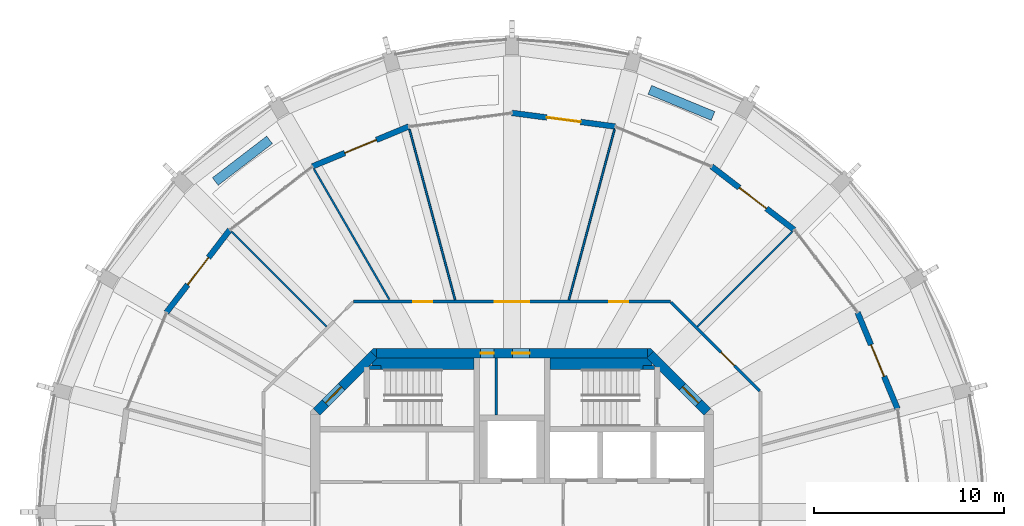
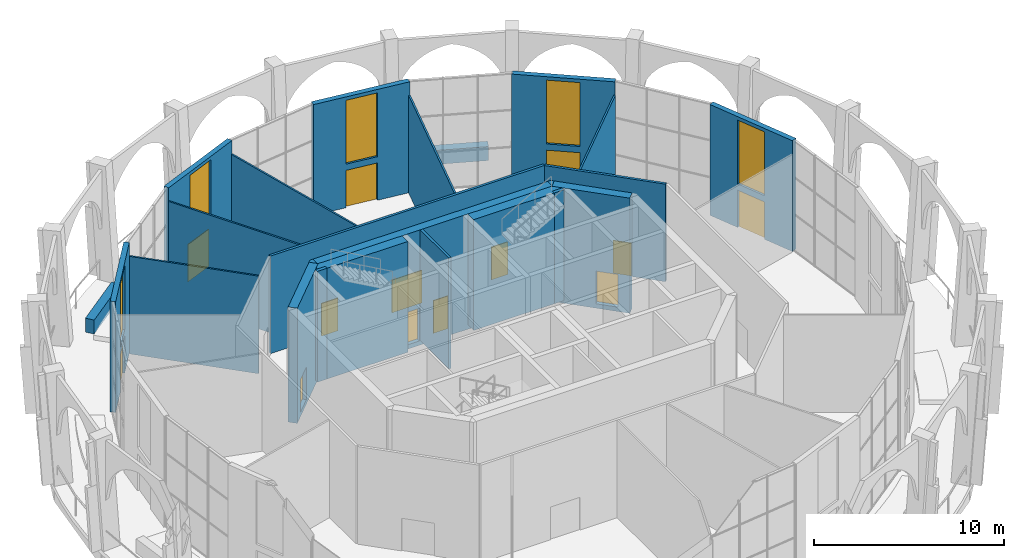
# One storey, part 13 of 17: 24 walls, 13 doors, 5 windows, 18 openings.
"""IFC4 building model written with IfcOpenShell, lengths in metres."""

from ifc_helpers import new_model, si_unit, direction, frame, frame_2d, origin, place, context, subcontext, project, spatial, polyline, rectangle, outline, extrude, material, layer, layer_set, type_object, element, fill, save


model = new_model("IFC4")

# Units and contexts
model_context = context("Model", 3, precision=1e-05, world=origin(), true_north=direction((0.0, 1.0)))
body_context = subcontext(model_context, "Body", "Model", "MODEL_VIEW")
ifc_project = project(units=[si_unit("LENGTHUNIT", "METRE"), si_unit("AREAUNIT", "SQUARE_METRE"), si_unit("VOLUMEUNIT", "CUBIC_METRE"), si_unit("PLANEANGLEUNIT", "RADIAN"), si_unit("MASSUNIT", "GRAM", prefix="KILO")], contexts=[model_context])

# Site, building, storey
site_placement = place(None, origin())
site = spatial("IfcSite", under=ifc_project, at=site_placement, CompositionType="ELEMENT")
building_placement = place(site_placement, origin())
building = spatial("IfcBuilding", under=site, at=building_placement, Name="Torre Triforio", CompositionType="ELEMENT")
storey_placement = place(building_placement, frame((0.0, 0.0, 276.0)))
storey = spatial("IfcBuildingStorey", under=building, at=storey_placement, Name="L64", CompositionType="ELEMENT", Elevation=276.0)

# Wall, openings, doors
ifc_material_1 = material(Name="Concrete C40", Category="concrete")
ifc_layer_1 = layer(ifc_material_1, 0.5)
ifc_layer_set_1 = layer_set([ifc_layer_1], Name="Concrete C40")
wall_type_1 = type_object("IfcWallType", Name="Core wall 500 mm C40 EI 120", PredefinedType="SHEAR", material=ifc_layer_set_1)
wall_1_placement = place(storey_placement, frame((-7.1298828125, 8.35009765625, -0.280029296875), z_axis=(0.0, 0.0, 1.0), x_axis=(1.0, 0.0, 0.0)))
wall_1 = element("IfcWall", 1, at=wall_1_placement, inside=storey, type_object=wall_type_1, Name="Core wall", PredefinedType="SHEAR", context=body_context, shape_type="SweptSolid", body=[
    extrude(rectangle(XDim=14.259765625, YDim=0.5, at=frame_2d((7.1298828125, 0.0))), origin(), (0.0, 0.0, 1.0), 7.400146484375),
])
opening_1_placement = place(wall_1_placement, frame((5.47998046875, 0.0, 0.280029296875)))
opening_1 = element("IfcOpeningElement", 2, at=opening_1_placement, cuts=wall_1, Name="Opening RISER-N", PredefinedType="OPENING", context=body_context, shape_type="SweptSolid", body=[
    extrude(rectangle(XDim=0.699951171875, YDim=2.10009765625, at=frame_2d((0.35009765625, 1.050048828125))), frame((0.0, 0.260009765625, 0.0), z_axis=(0.0, -1.0, 0.0), x_axis=(1.0, 0.0, 0.0)), (0.0, 0.0, 1.0), 0.52001953125),
])
opening_2_placement = place(wall_1_placement, frame((7.155029296875, 0.0, 0.280029296875)))
opening_2 = element("IfcOpeningElement", 3, at=opening_2_placement, cuts=wall_1, Name="Opening NE-01", PredefinedType="OPENING", context=body_context, shape_type="SweptSolid", body=[
    extrude(rectangle(XDim=0.89990234375, YDim=2.10009765625, at=frame_2d((0.449951171875, 1.050048828125))), frame((0.0, 0.260009765625, 0.0), z_axis=(0.0, -1.0, 0.0), x_axis=(1.0, 0.0, 0.0)), (0.0, 0.0, 1.0), 0.52001953125),
])
ifc_material_2 = material(Name="Hollow metal fire door leaf")
door_type_1 = type_object("IfcDoorType", Name="Riser door 700 x 2100 EI 60", OperationType="NOTDEFINED", PredefinedType="DOOR", material=ifc_material_2)
door_1_placement = place(opening_1_placement, origin())
door_1 = element("IfcDoor", 4, at=door_1_placement, inside=storey, type_object=door_type_1, Name="Core door RISER-N", OperationType="SINGLE_SWING_LEFT", OverallHeight=2.10009765625, OverallWidth=0.699951171875, PredefinedType="DOOR", context=body_context, shape_type="SweptSolid", body=[
    extrude(rectangle(XDim=0.699951171875, YDim=2.10009765625, at=frame_2d((0.35009765625, 1.050048828125))), frame((0.0, 0.02490234375, 0.0), z_axis=(0.0, -1.0, 0.0), x_axis=(1.0, 0.0, 0.0)), (0.0, 0.0, 1.0), 0.050048828125),
])
fill(opening_1, door_1)
door_type_2 = type_object("IfcDoorType", Name="Room door 900 x 2100 EI 60", OperationType="NOTDEFINED", PredefinedType="DOOR", material=ifc_material_2)
door_2_placement = place(opening_2_placement, origin())
door_2 = element("IfcDoor", 5, at=door_2_placement, inside=storey, type_object=door_type_2, Name="Core door NE-01", OperationType="SINGLE_SWING_RIGHT", OverallHeight=2.10009765625, OverallWidth=0.89990234375, PredefinedType="DOOR", context=body_context, shape_type="SweptSolid", body=[
    extrude(rectangle(XDim=0.89990234375, YDim=2.10009765625, at=frame_2d((0.449951171875, 1.050048828125))), frame((0.0, 0.02490234375, 0.0), z_axis=(0.0, -1.0, 0.0), x_axis=(1.0, 0.0, 0.0)), (0.0, 0.0, 1.0), 0.050048828125),
])
fill(opening_2, door_2)

# Wall, opening, door
wall_2_placement = place(storey_placement, frame((-10.27685546875, 5.27685546875, -0.280029296875), z_axis=(0.0, 0.0, 1.0), x_axis=(0.707106781187, 0.707106781187, 0.0)))
wall_2 = element("IfcWall", 6, at=wall_2_placement, inside=storey, type_object=wall_type_1, Name="Core wall", PredefinedType="SHEAR", context=body_context, shape_type="SweptSolid", body=[
    extrude(rectangle(XDim=4.24267578125, YDim=0.5, at=frame_2d((2.121337890625, 0.0))), origin(), (0.0, 0.0, 1.0), 7.400146484375),
])
opening_3_placement = place(wall_2_placement, frame((0.64990234375, 0.0, 0.280029296875)))
opening_3 = element("IfcOpeningElement", 7, at=opening_3_placement, cuts=wall_2, Name="Opening ST1-EXIT", PredefinedType="OPENING", context=body_context, shape_type="SweptSolid", body=[
    extrude(rectangle(XDim=1.199951171875, YDim=2.10009765625, at=frame_2d((0.60009765625, 1.050048828125))), frame((0.0, 0.260009765625, 0.0), z_axis=(0.0, -1.0, 0.0), x_axis=(1.0, 0.0, 0.0)), (0.0, 0.0, 1.0), 0.52001953125),
])
door_type_3 = type_object("IfcDoorType", Name="Stair lobby door 1200 x 2100 EI 60", OperationType="NOTDEFINED", PredefinedType="DOOR", material=ifc_material_2)
door_3_placement = place(opening_3_placement, origin())
door_3 = element("IfcDoor", 8, at=door_3_placement, inside=storey, type_object=door_type_3, Name="Core door ST1-EXIT", OperationType="SINGLE_SWING_RIGHT", OverallHeight=2.10009765625, OverallWidth=1.199951171875, PredefinedType="DOOR", context=body_context, shape_type="SweptSolid", body=[
    extrude(rectangle(XDim=1.199951171875, YDim=2.10009765625, at=frame_2d((0.60009765625, 1.050048828125))), frame((0.0, 0.02490234375, 0.0), z_axis=(0.0, -1.0, 0.0), x_axis=(1.0, 0.0, 0.0)), (0.0, 0.0, 1.0), 0.050048828125),
])
fill(opening_3, door_3)

wall_3_placement = place(storey_placement, frame((7.27685546875, 8.27685546875, -0.280029296875), z_axis=(0.0, 0.0, 1.0), x_axis=(0.707106781187, -0.707106781187, 0.0)))
wall_3 = element("IfcWall", 9, at=wall_3_placement, inside=storey, type_object=wall_type_1, Name="Core wall", PredefinedType="SHEAR", context=body_context, shape_type="SweptSolid", body=[
    extrude(rectangle(XDim=4.24267578125, YDim=0.5, at=frame_2d((2.121337890625, 0.0))), origin(), (0.0, 0.0, 1.0), 7.400146484375),
])
opening_4_placement = place(wall_3_placement, frame((2.392578125, 0.0, 0.280029296875)))
opening_4 = element("IfcOpeningElement", 10, at=opening_4_placement, cuts=wall_3, Name="Opening ST2-EXIT", PredefinedType="OPENING", context=body_context, shape_type="SweptSolid", body=[
    extrude(rectangle(XDim=1.199951171875, YDim=2.10009765625, at=frame_2d((0.60009765625, 1.050048828125))), frame((0.0, 0.260009765625, 0.0), z_axis=(0.0, -1.0, 0.0), x_axis=(1.0, 0.0, 0.0)), (0.0, 0.0, 1.0), 0.52001953125),
])
door_4_placement = place(opening_4_placement, origin())
door_4 = element("IfcDoor", 11, at=door_4_placement, inside=storey, type_object=door_type_3, Name="Core door ST2-EXIT", OperationType="SINGLE_SWING_RIGHT", OverallHeight=2.10009765625, OverallWidth=1.199951171875, PredefinedType="DOOR", context=body_context, shape_type="SweptSolid", body=[
    extrude(rectangle(XDim=1.199951171875, YDim=2.10009765625, at=frame_2d((0.60009765625, 1.050048828125))), frame((0.0, 0.02490234375, 0.0), z_axis=(0.0, -1.0, 0.0), x_axis=(1.0, 0.0, 0.0)), (0.0, 0.0, 1.0), 0.050048828125),
])
fill(opening_4, door_4)

# Walls
wall_4_placement = place(storey_placement, frame((0.0, 0.0, -0.280029296875)))
element("IfcWall", 12, at=wall_4_placement, inside=storey, type_object=wall_type_1, Name="Core wall", PredefinedType="SHEAR", context=body_context, shape_type="SweptSolid", body=[
    extrude(outline(polyline([(-7.30712890625, 8.60009765625), (-7.1298828125, 8.60009765625), (-7.1298828125, 8.1298828125), (-7.45361328125, 8.45361328125), (-7.30712890625, 8.60009765625)])), origin(), (0.0, 0.0, 1.0), 7.400146484375),
])
wall_5_placement = place(storey_placement, frame((0.0, 0.0, -0.280029296875)))
element("IfcWall", 13, at=wall_5_placement, inside=storey, type_object=wall_type_1, Name="Core wall", PredefinedType="SHEAR", context=body_context, shape_type="SweptSolid", body=[
    extrude(outline(polyline([(7.30712890625, 8.60009765625), (7.45361328125, 8.45361328125), (7.1298828125, 8.1298828125), (7.1298828125, 8.60009765625), (7.30712890625, 8.60009765625)])), origin(), (0.0, 0.0, 1.0), 7.400146484375),
])

# Wall, openings, doors
ifc_material_3 = material(Name="Plasterboard on metal studs")
ifc_layer_2 = layer(ifc_material_3, 0.14990234375)
ifc_layer_set_2 = layer_set([ifc_layer_2], Name="Plasterboard on metal studs")
wall_type_2 = type_object("IfcWallType", Name="Corridor and tenancy wall 150 mm EI 60", PredefinedType="PARTITIONING", material=ifc_layer_set_2)
wall_6_placement = place(storey_placement, frame((-8.332275390625, 11.074951171875, 0.0), z_axis=(0.0, 0.0, 1.0), x_axis=(1.0, 0.0, 0.0)))
wall_6 = element("IfcWall", 14, at=wall_6_placement, inside=storey, type_object=wall_type_2, Name="Partition 6", PredefinedType="PARTITIONING", context=body_context, shape_type="SweptSolid", body=[
    extrude(rectangle(XDim=16.66455078125, YDim=0.14990234375, at=frame_2d((8.332275390625, 0.0))), origin(), (0.0, 0.0, 1.0), 6.27001953125),
])
opening_5_placement = place(wall_6_placement, frame((13.457275390625, 0.0, 0.0)))
opening_5 = element("IfcOpeningElement", 15, at=opening_5_placement, cuts=wall_6, Name="Opening G4-08", PredefinedType="OPENING", context=body_context, shape_type="SweptSolid", body=[
    extrude(rectangle(XDim=1.0, YDim=2.10009765625, at=frame_2d((0.5, 1.050048828125))), frame((0.0, 0.0849609375, 0.0), z_axis=(0.0, -1.0, 0.0), x_axis=(1.0, 0.0, 0.0)), (0.0, 0.0, 1.0), 0.169921875),
])
opening_6_placement = place(wall_6_placement, frame((7.432373046875, 0.0, 0.0)))
opening_6 = element("IfcOpeningElement", 16, at=opening_6_placement, cuts=wall_6, Name="Opening G4-09", PredefinedType="OPENING", context=body_context, shape_type="SweptSolid", body=[
    extrude(rectangle(XDim=1.800048828125, YDim=2.10009765625, at=frame_2d((0.89990234375, 1.050048828125))), frame((0.0, 0.0849609375, 0.0), z_axis=(0.0, -1.0, 0.0), x_axis=(1.0, 0.0, 0.0)), (0.0, 0.0, 1.0), 0.169921875),
])
opening_7_placement = place(wall_6_placement, frame((3.1474609375, 0.0, 0.0)))
opening_7 = element("IfcOpeningElement", 17, at=opening_7_placement, cuts=wall_6, Name="Opening G4-10", PredefinedType="OPENING", context=body_context, shape_type="SweptSolid", body=[
    extrude(rectangle(XDim=1.0, YDim=2.10009765625, at=frame_2d((0.5, 1.050048828125))), frame((0.0, 0.0849609375, 0.0), z_axis=(0.0, -1.0, 0.0), x_axis=(1.0, 0.0, 0.0)), (0.0, 0.0, 1.0), 0.169921875),
])
ifc_material_4 = material(Name="Timber", Category="wood")
door_type_4 = type_object("IfcDoorType", Name="Door 1000 x 2100 single leaf EI 30", OperationType="NOTDEFINED", PredefinedType="DOOR", material=ifc_material_4)
door_5_placement = place(opening_5_placement, origin())
door_5 = element("IfcDoor", 18, at=door_5_placement, inside=storey, type_object=door_type_4, Name="Door G4-08", OperationType="SINGLE_SWING_LEFT", OverallHeight=2.10009765625, OverallWidth=1.0, PredefinedType="DOOR", context=body_context, shape_type="SweptSolid", body=[
    extrude(rectangle(XDim=1.0, YDim=2.10009765625, at=frame_2d((0.5, 1.050048828125))), frame((0.0, 0.02490234375, 0.0), z_axis=(0.0, -1.0, 0.0), x_axis=(1.0, 0.0, 0.0)), (0.0, 0.0, 1.0), 0.050048828125),
])
fill(opening_5, door_5)
door_6_placement = place(opening_7_placement, origin())
door_6 = element("IfcDoor", 19, at=door_6_placement, inside=storey, type_object=door_type_4, Name="Door G4-10", OperationType="SINGLE_SWING_LEFT", OverallHeight=2.10009765625, OverallWidth=1.0, PredefinedType="DOOR", context=body_context, shape_type="SweptSolid", body=[
    extrude(rectangle(XDim=1.0, YDim=2.10009765625, at=frame_2d((0.5, 1.050048828125))), frame((0.0, 0.02490234375, 0.0), z_axis=(0.0, -1.0, 0.0), x_axis=(1.0, 0.0, 0.0)), (0.0, 0.0, 1.0), 0.050048828125),
])
fill(opening_7, door_6)
door_type_5 = type_object("IfcDoorType", Name="Door 1800 x 2100 double leaf EI 30", OperationType="DOUBLE_DOOR_SINGLE_SWING", PredefinedType="DOOR", material=ifc_material_4)
door_7_placement = place(opening_6_placement, origin())
door_7 = element("IfcDoor", 20, at=door_7_placement, inside=storey, type_object=door_type_5, Name="Door G4-09", OperationType="DOUBLE_DOOR_SINGLE_SWING", OverallHeight=2.10009765625, OverallWidth=1.800048828125, PredefinedType="DOOR", context=body_context, shape_type="SweptSolid", body=[
    extrude(rectangle(XDim=1.800048828125, YDim=2.10009765625, at=frame_2d((0.89990234375, 1.050048828125))), frame((0.0, 0.02490234375, 0.0), z_axis=(0.0, -1.0, 0.0), x_axis=(1.0, 0.0, 0.0)), (0.0, 0.0, 1.0), 0.050048828125),
])
fill(opening_6, door_7)

# Wall, opening, door
wall_7_placement = place(storey_placement, frame((8.369384765625, 11.037841796875, 0.0), z_axis=(0.0, 0.0, 1.0), x_axis=(0.707106781187, -0.707106781187, 0.0)))
wall_7 = element("IfcWall", 21, at=wall_7_placement, inside=storey, type_object=wall_type_2, Name="Partition 7", PredefinedType="PARTITIONING", context=body_context, shape_type="SweptSolid", body=[
    extrude(rectangle(XDim=6.602294921875, YDim=0.14990234375, at=frame_2d((3.30126953125, 0.0))), origin(), (0.0, 0.0, 1.0), 6.27001953125),
])
opening_8_placement = place(wall_7_placement, frame((3.719482421875, 0.0, 0.0)))
opening_8 = element("IfcOpeningElement", 22, at=opening_8_placement, cuts=wall_7, Name="Opening G4-07", PredefinedType="OPENING", context=body_context, shape_type="SweptSolid", body=[
    extrude(rectangle(XDim=1.0, YDim=2.10009765625, at=frame_2d((0.5, 1.050048828125))), frame((0.0, 0.0849609375, 0.0), z_axis=(0.0, -1.0, 0.0), x_axis=(1.0, 0.0, 0.0)), (0.0, 0.0, 1.0), 0.169921875),
])
door_8_placement = place(opening_8_placement, origin())
door_8 = element("IfcDoor", 23, at=door_8_placement, inside=storey, type_object=door_type_4, Name="Door G4-07", OperationType="SINGLE_SWING_LEFT", OverallHeight=2.10009765625, OverallWidth=1.0, PredefinedType="DOOR", context=body_context, shape_type="SweptSolid", body=[
    extrude(rectangle(XDim=1.0, YDim=2.10009765625, at=frame_2d((0.5, 1.050048828125))), frame((0.0, 0.02490234375, 0.0), z_axis=(0.0, -1.0, 0.0), x_axis=(1.0, 0.0, 0.0)), (0.0, 0.0, 1.0), 0.050048828125),
])
fill(opening_8, door_8)

# Walls
ifc_layer_3 = layer(ifc_material_3, 0.10009765625)
ifc_layer_set_3 = layer_set([ifc_layer_3], Name="Plasterboard on metal studs")
wall_type_3 = type_object("IfcWallType", Name="Partition 100 mm board on metal studs", PredefinedType="PARTITIONING", material=ifc_layer_set_3)
wall_8_placement = place(storey_placement, frame((9.756591796875, 9.756591796875, 0.0), z_axis=(0.0, 0.0, 1.0), x_axis=(0.707106781187, 0.707106781187, 0.0)))
element("IfcWall", 24, at=wall_8_placement, inside=storey, type_object=wall_type_3, Name="Partition 10", PredefinedType="PARTITIONING", context=body_context, shape_type="SweptSolid", body=[
    extrude(rectangle(XDim=7.0390625, YDim=0.10009765625, at=frame_2d((3.51953125, 0.0))), origin(), (0.0, 0.0, 1.0), 6.27001953125),
])
for number, where, z_axis, x_axis, name in (
    (25, (2.991455078125, 11.164306640625, 0.0), (0.0, 0.0, 1.0), (0.258808860497, 0.965928555188, 0.0), "Partition 11"),
    (26, (-2.991455078125, 11.164306640625, 0.0), (0.0, 0.0, 1.0), (-0.258808860497, 0.965928555188, 0.0), "Partition 12"),
):
    element("IfcWall", number, at=place(storey_placement, frame(where, z_axis=z_axis, x_axis=x_axis)), inside=storey, type_object=wall_type_3, Name=name, PredefinedType="PARTITIONING", context=body_context, shape_type="SweptSolid", body=[
        extrude(rectangle(XDim=9.278564453125, YDim=0.10009765625, at=frame_2d((4.63916015625, 0.0))), origin(), (0.0, 0.0, 1.0), 6.27001953125),
    ])
wall_9_placement = place(storey_placement, frame((-6.45166015625, 11.174560546875, 0.0), z_axis=(0.0, 0.0, 1.0), x_axis=(-0.50000481735, 0.866022622468, 0.0)))
element("IfcWall", 27, at=wall_9_placement, inside=storey, type_object=wall_type_3, Name="Partition 13", PredefinedType="PARTITIONING", context=body_context, shape_type="SweptSolid", body=[
    extrude(rectangle(XDim=7.93359375, YDim=0.10009765625, at=frame_2d((3.966796875, 0.0))), origin(), (0.0, 0.0, 1.0), 6.27001953125),
])
wall_10_placement = place(storey_placement, frame((-9.756591796875, 9.756591796875, 0.0), z_axis=(0.0, 0.0, 1.0), x_axis=(-0.707106781187, 0.707106781187, 0.0)))
element("IfcWall", 28, at=wall_10_placement, inside=storey, type_object=wall_type_3, Name="Partition 14", PredefinedType="PARTITIONING", context=body_context, shape_type="SweptSolid", body=[
    extrude(rectangle(XDim=7.0390625, YDim=0.10009765625, at=frame_2d((3.51953125, 0.0))), origin(), (0.0, 0.0, 1.0), 6.27001953125),
])
ifc_material_5 = material(Name="Block and board partition")
ifc_layer_4 = layer(ifc_material_5, 0.14990234375)
ifc_layer_set_4 = layer_set([ifc_layer_4], Name="Block and board partition")
wall_type_4 = type_object("IfcWallType", Name="Partition 150 mm EI 120", PredefinedType="PARTITIONING", material=ifc_layer_set_4)
wall_11_placement = place(storey_placement, frame((-0.824951171875, 5.10009765625, 0.0), z_axis=(0.0, 0.0, 1.0), x_axis=(0.0, 1.0, 0.0)))
element("IfcWall", 29, at=wall_11_placement, inside=storey, type_object=wall_type_4, Name="Partition", PredefinedType="PARTITIONING", context=body_context, shape_type="SweptSolid", body=[
    extrude(rectangle(XDim=3.0, YDim=0.14990234375, at=frame_2d((1.5, 0.0))), origin(), (0.0, 0.0, 1.0), 7.1201171875),
])
ifc_material_6 = material(Name="Limestone cladding", Category="masonry")
ifc_layer_5 = layer(ifc_material_6, 0.10009765625)
ifc_layer_6 = layer(ifc_material_1, 0.39990234375)
ifc_layer_set_5 = layer_set([ifc_layer_5, ifc_layer_6], Name="Limestone cladding / Concrete C40")
wall_type_5 = type_object("IfcWallType", Name="Planter wall 500", PredefinedType="PARAPET", material=ifc_layer_set_5)
for number, where, z_axis, x_axis, name in (
    (30, (10.57958984375, 20.837646484375, 0.0), (0.0, 0.0, 1.0), (-0.923909393783, 0.382611332921, 0.0), "Planter L64 bay 05"),
    (31, (-12.756103515625, 19.580810546875, 0.0), (0.0, 0.0, 1.0), (-0.793384730612, -0.608720518162, 0.0), "Planter L64 bay 09"),
):
    element("IfcWall", number, at=place(storey_placement, frame(where, z_axis=z_axis, x_axis=x_axis)), inside=storey, type_object=wall_type_5, Name=name, PredefinedType="PARAPET", context=body_context, shape_type="SweptSolid", body=[
        extrude(rectangle(XDim=3.60009765625, YDim=0.5, at=frame_2d((1.800048828125, 0.0))), origin(), (0.0, 0.0, 1.0), 0.89990234375),
    ])
ifc_layer_7 = layer(ifc_material_1, 0.199951171875)
ifc_layer_set_6 = layer_set([ifc_layer_7], Name="Concrete C40")
wall_type_6 = type_object("IfcWallType", Name="Stair wall 200 mm C40 EI 120", PredefinedType="SHEAR", material=ifc_layer_set_6)
for number, where, z_axis, x_axis, name in (
    (32, (-7.5, 7.60009765625, 0.0), (0.0, 0.0, 1.0), (1.0, 0.0, 0.0), "Stair wall"),
    (33, (6.89990234375, 7.60009765625, 0.0), (0.0, 0.0, 1.0), (1.0, 0.0, 0.0), "Stair wall"),
):
    element("IfcWall", number, at=place(storey_placement, frame(where, z_axis=z_axis, x_axis=x_axis)), inside=storey, type_object=wall_type_6, Name=name, PredefinedType="SHEAR", context=body_context, shape_type="SweptSolid", body=[
        extrude(rectangle(XDim=0.60009765625, YDim=0.199951171875, at=frame_2d((0.300048828125, 0.0))), origin(), (0.0, 0.0, 1.0), 7.1201171875),
    ])
ifc_layer_8 = layer(ifc_material_1, 0.60009765625)
ifc_layer_set_7 = layer_set([ifc_layer_8], Name="Concrete C40")
wall_type_7 = type_object("IfcWallType", Name="Stair wall 600 mm C40 EI 120", PredefinedType="SHEAR", material=ifc_layer_set_7)
for number, where, z_axis, x_axis, name in (
    (34, (-7.3701171875, 7.800048828125, 0.0), (0.0, 0.0, 1.0), (1.0, 0.0, 0.0), "Stair wall"),
    (35, (2.0, 7.800048828125, 0.0), (0.0, 0.0, 1.0), (1.0, 0.0, 0.0), "Stair wall"),
):
    element("IfcWall", number, at=place(storey_placement, frame(where, z_axis=z_axis, x_axis=x_axis)), inside=storey, type_object=wall_type_7, Name=name, PredefinedType="SHEAR", context=body_context, shape_type="SweptSolid", body=[
        extrude(rectangle(XDim=5.3701171875, YDim=0.60009765625, at=frame_2d((2.68505859375, 0.0))), origin(), (0.0, 0.0, 1.0), 7.1201171875),
    ])

# Wall, openings, window, door
ifc_layer_9 = layer(ifc_material_6, 0.10009765625)
ifc_layer_10 = layer(ifc_material_1, 0.199951171875)
ifc_layer_set_8 = layer_set([ifc_layer_9, ifc_layer_10], Name="Limestone cladding / Concrete C40")
wall_type_8 = type_object("IfcWallType", Name="Stone-faced composite wall 300", PredefinedType="STANDARD", material=ifc_layer_set_8)
wall_12_placement = place(storey_placement, frame((20.284423828125, 5.435302734375, 0.0), z_axis=(0.0, 0.0, 1.0), x_axis=(-0.382688740813, 0.923877333662, 0.0)))
wall_12 = element("IfcWall", 36, at=wall_12_placement, inside=storey, type_object=wall_type_8, Name="External wall L64 bay 02", PredefinedType="STANDARD", context=body_context, shape_type="SweptSolid", body=[
    extrude(rectangle(XDim=5.48193359375, YDim=0.300048828125, at=frame_2d((2.740966796875, 0.0))), origin(), (0.0, 0.0, 1.0), 7.1201171875),
])
opening_9_placement = place(wall_12_placement, frame((1.841064453125, 0.0, 0.0)))
opening_9 = element("IfcOpeningElement", 37, at=opening_9_placement, cuts=wall_12, Name="Opening G4-D02", PredefinedType="OPENING", context=body_context, shape_type="SweptSolid", body=[
    extrude(rectangle(XDim=1.800048828125, YDim=2.39990234375, at=frame_2d((0.89990234375, 1.199951171875))), frame((0.0, 0.159912109375, 0.0), z_axis=(0.0, -1.0, 0.0), x_axis=(1.0, 0.0, 0.0)), (0.0, 0.0, 1.0), 0.320068359375),
])
opening_10_placement = place(wall_12_placement, frame((1.841064453125, 0.0, 2.800048828125)))
opening_10 = element("IfcOpeningElement", 38, at=opening_10_placement, cuts=wall_12, Name="Opening G4-W02", PredefinedType="OPENING", context=body_context, shape_type="SweptSolid", body=[
    extrude(rectangle(XDim=1.800048828125, YDim=4.10009765625, at=frame_2d((0.89990234375, 2.050048828125))), frame((0.0, 0.159912109375, 0.0), z_axis=(0.0, -1.0, 0.0), x_axis=(1.0, 0.0, 0.0)), (0.0, 0.0, 1.0), 0.320068359375),
])
ifc_material_7 = material(Name="Aluminium frame with clear double glazing", Category="aluminium")
window_type = type_object("IfcWindowType", Name="Garden clerestory window 1800 x 4100", PartitioningType="DOUBLE_PANEL_VERTICAL", PredefinedType="WINDOW", material=ifc_material_7)
window_1_placement = place(opening_10_placement, origin())
window_1 = element("IfcWindow", 39, at=window_1_placement, inside=storey, type_object=window_type, Name="Clerestory EWN22 L64 bay 02", OverallHeight=4.10009765625, OverallWidth=1.800048828125, PartitioningType="SINGLE_PANEL", PredefinedType="WINDOW", context=body_context, shape_type="SweptSolid", body=[
    extrude(rectangle(XDim=1.800048828125, YDim=4.10009765625, at=frame_2d((0.89990234375, 2.050048828125))), frame((0.0, 0.030029296875, 0.0), z_axis=(0.0, -1.0, 0.0), x_axis=(1.0, 0.0, 0.0)), (0.0, 0.0, 1.0), 0.06005859375),
])
fill(opening_10, window_1)
door_type_6 = type_object("IfcDoorType", Name="Terrace double door 1800 x 2400", OperationType="DOUBLE_DOOR_SINGLE_SWING", PredefinedType="DOOR", material=ifc_material_7)
door_9_placement = place(opening_9_placement, origin())
door_9 = element("IfcDoor", 40, at=door_9_placement, inside=storey, type_object=door_type_6, Name="Terrace door L64 bay 02", OperationType="SINGLE_SWING_LEFT", OverallHeight=2.39990234375, OverallWidth=1.800048828125, PredefinedType="DOOR", context=body_context, shape_type="SweptSolid", body=[
    extrude(rectangle(XDim=1.800048828125, YDim=2.39990234375, at=frame_2d((0.89990234375, 1.199951171875))), frame((0.0, 0.02490234375, 0.0), z_axis=(0.0, -1.0, 0.0), x_axis=(1.0, 0.0, 0.0)), (0.0, 0.0, 1.0), 0.050048828125),
])
fill(opening_9, door_9)

wall_13_placement = place(storey_placement, frame((14.84912109375, 14.84912109375, 0.0), z_axis=(0.0, 0.0, 1.0), x_axis=(-0.793335336593, 0.608784891166, 0.0)))
wall_13 = element("IfcWall", 41, at=wall_13_placement, inside=storey, type_object=wall_type_8, Name="External wall L64 bay 04", PredefinedType="STANDARD", context=body_context, shape_type="SweptSolid", body=[
    extrude(rectangle(XDim=5.482177734375, YDim=0.300048828125, at=frame_2d((2.7412109375, 0.0))), origin(), (0.0, 0.0, 1.0), 7.1201171875),
])
opening_11_placement = place(wall_13_placement, frame((1.841064453125, 0.0, 0.0)))
opening_11 = element("IfcOpeningElement", 42, at=opening_11_placement, cuts=wall_13, Name="Opening G4-D04", PredefinedType="OPENING", context=body_context, shape_type="SweptSolid", body=[
    extrude(rectangle(XDim=1.800048828125, YDim=2.39990234375, at=frame_2d((0.89990234375, 1.199951171875))), frame((0.0, 0.159912109375, 0.0), z_axis=(0.0, -1.0, 0.0), x_axis=(1.0, 0.0, 0.0)), (0.0, 0.0, 1.0), 0.320068359375),
])
opening_12_placement = place(wall_13_placement, frame((1.841064453125, 0.0, 2.800048828125)))
opening_12 = element("IfcOpeningElement", 43, at=opening_12_placement, cuts=wall_13, Name="Opening G4-W04", PredefinedType="OPENING", context=body_context, shape_type="SweptSolid", body=[
    extrude(rectangle(XDim=1.800048828125, YDim=4.10009765625, at=frame_2d((0.89990234375, 2.050048828125))), frame((0.0, 0.159912109375, 0.0), z_axis=(0.0, -1.0, 0.0), x_axis=(1.0, 0.0, 0.0)), (0.0, 0.0, 1.0), 0.320068359375),
])
window_2_placement = place(opening_12_placement, origin())
window_2 = element("IfcWindow", 44, at=window_2_placement, inside=storey, type_object=window_type, Name="Clerestory EWN22 L64 bay 04", OverallHeight=4.10009765625, OverallWidth=1.800048828125, PartitioningType="SINGLE_PANEL", PredefinedType="WINDOW", context=body_context, shape_type="SweptSolid", body=[
    extrude(rectangle(XDim=1.800048828125, YDim=4.10009765625, at=frame_2d((0.89990234375, 2.050048828125))), frame((0.0, 0.030029296875, 0.0), z_axis=(0.0, -1.0, 0.0), x_axis=(1.0, 0.0, 0.0)), (0.0, 0.0, 1.0), 0.06005859375),
])
fill(opening_12, window_2)
door_10_placement = place(opening_11_placement, origin())
door_10 = element("IfcDoor", 45, at=door_10_placement, inside=storey, type_object=door_type_6, Name="Terrace door L64 bay 04", OperationType="SINGLE_SWING_LEFT", OverallHeight=2.39990234375, OverallWidth=1.800048828125, PredefinedType="DOOR", context=body_context, shape_type="SweptSolid", body=[
    extrude(rectangle(XDim=1.800048828125, YDim=2.39990234375, at=frame_2d((0.89990234375, 1.199951171875))), frame((0.0, 0.02490234375, 0.0), z_axis=(0.0, -1.0, 0.0), x_axis=(1.0, 0.0, 0.0)), (0.0, 0.0, 1.0), 0.050048828125),
])
fill(opening_11, door_10)

wall_14_placement = place(storey_placement, frame((5.435302734375, 20.284423828125, 0.0), z_axis=(0.0, 0.0, 1.0), x_axis=(-0.991444743541, 0.130527087244, 0.0)))
wall_14 = element("IfcWall", 46, at=wall_14_placement, inside=storey, type_object=wall_type_8, Name="External wall L64 bay 06", PredefinedType="STANDARD", context=body_context, shape_type="SweptSolid", body=[
    extrude(rectangle(XDim=5.482177734375, YDim=0.300048828125, at=frame_2d((2.7412109375, 0.0))), origin(), (0.0, 0.0, 1.0), 7.1201171875),
])
opening_13_placement = place(wall_14_placement, frame((1.841064453125, 0.0, 0.0)))
opening_13 = element("IfcOpeningElement", 47, at=opening_13_placement, cuts=wall_14, Name="Opening G4-D06", PredefinedType="OPENING", context=body_context, shape_type="SweptSolid", body=[
    extrude(rectangle(XDim=1.800048828125, YDim=2.39990234375, at=frame_2d((0.89990234375, 1.199951171875))), frame((0.0, 0.159912109375, 0.0), z_axis=(0.0, -1.0, 0.0), x_axis=(1.0, 0.0, 0.0)), (0.0, 0.0, 1.0), 0.320068359375),
])
opening_14_placement = place(wall_14_placement, frame((1.841064453125, 0.0, 2.800048828125)))
opening_14 = element("IfcOpeningElement", 48, at=opening_14_placement, cuts=wall_14, Name="Opening G4-W06", PredefinedType="OPENING", context=body_context, shape_type="SweptSolid", body=[
    extrude(rectangle(XDim=1.800048828125, YDim=4.10009765625, at=frame_2d((0.89990234375, 2.050048828125))), frame((0.0, 0.159912109375, 0.0), z_axis=(0.0, -1.0, 0.0), x_axis=(1.0, 0.0, 0.0)), (0.0, 0.0, 1.0), 0.320068359375),
])
window_3_placement = place(opening_14_placement, origin())
window_3 = element("IfcWindow", 49, at=window_3_placement, inside=storey, type_object=window_type, Name="Clerestory EWN22 L64 bay 06", OverallHeight=4.10009765625, OverallWidth=1.800048828125, PartitioningType="SINGLE_PANEL", PredefinedType="WINDOW", context=body_context, shape_type="SweptSolid", body=[
    extrude(rectangle(XDim=1.800048828125, YDim=4.10009765625, at=frame_2d((0.89990234375, 2.050048828125))), frame((0.0, 0.030029296875, 0.0), z_axis=(0.0, -1.0, 0.0), x_axis=(1.0, 0.0, 0.0)), (0.0, 0.0, 1.0), 0.06005859375),
])
fill(opening_14, window_3)
door_11_placement = place(opening_13_placement, origin())
door_11 = element("IfcDoor", 50, at=door_11_placement, inside=storey, type_object=door_type_6, Name="Terrace door L64 bay 06", OperationType="SINGLE_SWING_LEFT", OverallHeight=2.39990234375, OverallWidth=1.800048828125, PredefinedType="DOOR", context=body_context, shape_type="SweptSolid", body=[
    extrude(rectangle(XDim=1.800048828125, YDim=2.39990234375, at=frame_2d((0.89990234375, 1.199951171875))), frame((0.0, 0.02490234375, 0.0), z_axis=(0.0, -1.0, 0.0), x_axis=(1.0, 0.0, 0.0)), (0.0, 0.0, 1.0), 0.050048828125),
])
fill(opening_13, door_11)

wall_15_placement = place(storey_placement, frame((-5.435302734375, 20.284423828125, 0.0), z_axis=(0.0, 0.0, 1.0), x_axis=(-0.923877333662, -0.382688740813, 0.0)))
wall_15 = element("IfcWall", 51, at=wall_15_placement, inside=storey, type_object=wall_type_8, Name="External wall L64 bay 08", PredefinedType="STANDARD", context=body_context, shape_type="SweptSolid", body=[
    extrude(rectangle(XDim=5.48193359375, YDim=0.300048828125, at=frame_2d((2.740966796875, 0.0))), origin(), (0.0, 0.0, 1.0), 7.1201171875),
])
opening_15_placement = place(wall_15_placement, frame((1.841064453125, 0.0, 0.0)))
opening_15 = element("IfcOpeningElement", 52, at=opening_15_placement, cuts=wall_15, Name="Opening G4-D08", PredefinedType="OPENING", context=body_context, shape_type="SweptSolid", body=[
    extrude(rectangle(XDim=1.800048828125, YDim=2.39990234375, at=frame_2d((0.89990234375, 1.199951171875))), frame((0.0, 0.159912109375, 0.0), z_axis=(0.0, -1.0, 0.0), x_axis=(1.0, 0.0, 0.0)), (0.0, 0.0, 1.0), 0.320068359375),
])
opening_16_placement = place(wall_15_placement, frame((1.841064453125, 0.0, 2.800048828125)))
opening_16 = element("IfcOpeningElement", 53, at=opening_16_placement, cuts=wall_15, Name="Opening G4-W08", PredefinedType="OPENING", context=body_context, shape_type="SweptSolid", body=[
    extrude(rectangle(XDim=1.800048828125, YDim=4.10009765625, at=frame_2d((0.89990234375, 2.050048828125))), frame((0.0, 0.159912109375, 0.0), z_axis=(0.0, -1.0, 0.0), x_axis=(1.0, 0.0, 0.0)), (0.0, 0.0, 1.0), 0.320068359375),
])
window_4_placement = place(opening_16_placement, origin())
window_4 = element("IfcWindow", 54, at=window_4_placement, inside=storey, type_object=window_type, Name="Clerestory EWN22 L64 bay 08", OverallHeight=4.10009765625, OverallWidth=1.800048828125, PartitioningType="SINGLE_PANEL", PredefinedType="WINDOW", context=body_context, shape_type="SweptSolid", body=[
    extrude(rectangle(XDim=1.800048828125, YDim=4.10009765625, at=frame_2d((0.89990234375, 2.050048828125))), frame((0.0, 0.030029296875, 0.0), z_axis=(0.0, -1.0, 0.0), x_axis=(1.0, 0.0, 0.0)), (0.0, 0.0, 1.0), 0.06005859375),
])
fill(opening_16, window_4)
door_12_placement = place(opening_15_placement, origin())
door_12 = element("IfcDoor", 55, at=door_12_placement, inside=storey, type_object=door_type_6, Name="Terrace door L64 bay 08", OperationType="SINGLE_SWING_LEFT", OverallHeight=2.39990234375, OverallWidth=1.800048828125, PredefinedType="DOOR", context=body_context, shape_type="SweptSolid", body=[
    extrude(rectangle(XDim=1.800048828125, YDim=2.39990234375, at=frame_2d((0.89990234375, 1.199951171875))), frame((0.0, 0.02490234375, 0.0), z_axis=(0.0, -1.0, 0.0), x_axis=(1.0, 0.0, 0.0)), (0.0, 0.0, 1.0), 0.050048828125),
])
fill(opening_15, door_12)

wall_16_placement = place(storey_placement, frame((-14.84912109375, 14.84912109375, 0.0), z_axis=(0.0, 0.0, 1.0), x_axis=(-0.608784891166, -0.793335336593, 0.0)))
wall_16 = element("IfcWall", 56, at=wall_16_placement, inside=storey, type_object=wall_type_8, Name="External wall L64 bay 10", PredefinedType="STANDARD", context=body_context, shape_type="SweptSolid", body=[
    extrude(rectangle(XDim=5.482177734375, YDim=0.300048828125, at=frame_2d((2.7412109375, 0.0))), origin(), (0.0, 0.0, 1.0), 7.1201171875),
])
opening_17_placement = place(wall_16_placement, frame((1.841064453125, 0.0, 0.0)))
opening_17 = element("IfcOpeningElement", 57, at=opening_17_placement, cuts=wall_16, Name="Opening G4-D10", PredefinedType="OPENING", context=body_context, shape_type="SweptSolid", body=[
    extrude(rectangle(XDim=1.800048828125, YDim=2.39990234375, at=frame_2d((0.89990234375, 1.199951171875))), frame((0.0, 0.159912109375, 0.0), z_axis=(0.0, -1.0, 0.0), x_axis=(1.0, 0.0, 0.0)), (0.0, 0.0, 1.0), 0.320068359375),
])
opening_18_placement = place(wall_16_placement, frame((1.841064453125, 0.0, 2.800048828125)))
opening_18 = element("IfcOpeningElement", 58, at=opening_18_placement, cuts=wall_16, Name="Opening G4-W10", PredefinedType="OPENING", context=body_context, shape_type="SweptSolid", body=[
    extrude(rectangle(XDim=1.800048828125, YDim=4.10009765625, at=frame_2d((0.89990234375, 2.050048828125))), frame((0.0, 0.159912109375, 0.0), z_axis=(0.0, -1.0, 0.0), x_axis=(1.0, 0.0, 0.0)), (0.0, 0.0, 1.0), 0.320068359375),
])
window_5_placement = place(opening_18_placement, origin())
window_5 = element("IfcWindow", 59, at=window_5_placement, inside=storey, type_object=window_type, Name="Clerestory EWN22 L64 bay 10", OverallHeight=4.10009765625, OverallWidth=1.800048828125, PartitioningType="SINGLE_PANEL", PredefinedType="WINDOW", context=body_context, shape_type="SweptSolid", body=[
    extrude(rectangle(XDim=1.800048828125, YDim=4.10009765625, at=frame_2d((0.89990234375, 2.050048828125))), frame((0.0, 0.030029296875, 0.0), z_axis=(0.0, -1.0, 0.0), x_axis=(1.0, 0.0, 0.0)), (0.0, 0.0, 1.0), 0.06005859375),
])
fill(opening_18, window_5)
door_13_placement = place(opening_17_placement, origin())
door_13 = element("IfcDoor", 60, at=door_13_placement, inside=storey, type_object=door_type_6, Name="Terrace door L64 bay 10", OperationType="SINGLE_SWING_LEFT", OverallHeight=2.39990234375, OverallWidth=1.800048828125, PredefinedType="DOOR", context=body_context, shape_type="SweptSolid", body=[
    extrude(rectangle(XDim=1.800048828125, YDim=2.39990234375, at=frame_2d((0.89990234375, 1.199951171875))), frame((0.0, 0.02490234375, 0.0), z_axis=(0.0, -1.0, 0.0), x_axis=(1.0, 0.0, 0.0)), (0.0, 0.0, 1.0), 0.050048828125),
])
fill(opening_17, door_13)

save(model, "model.ifc")
